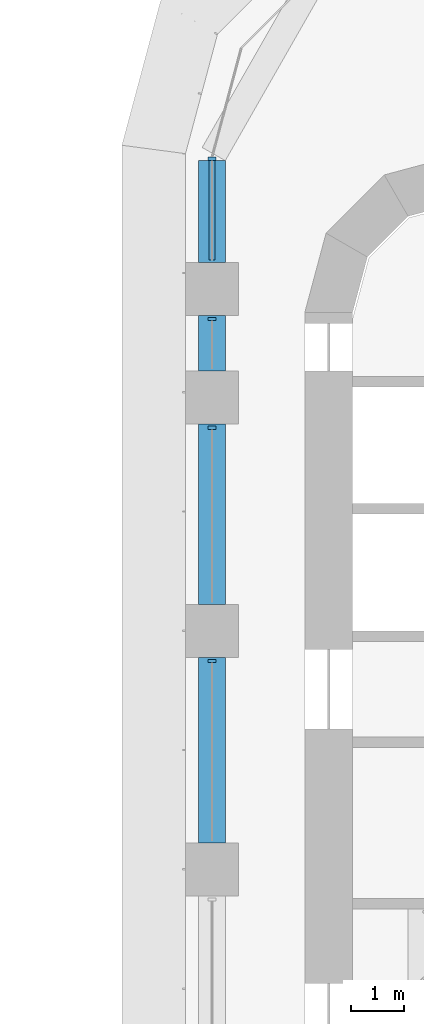
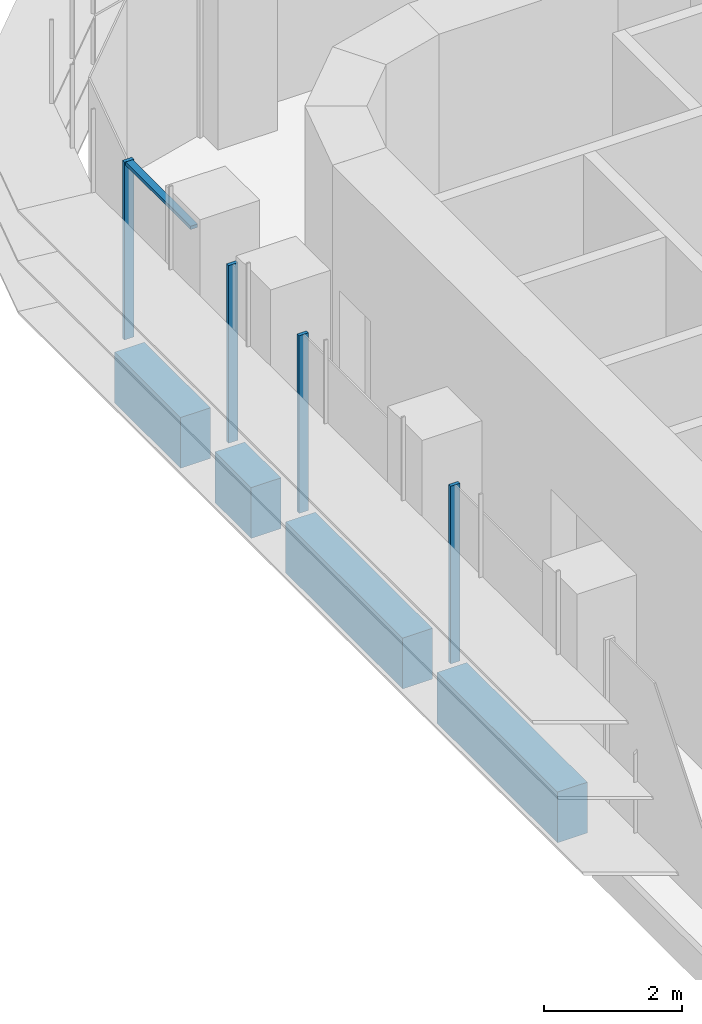
# One storey, part 7 of 23: 5 members, 4 beams, 1 element without a shape of its own.
"""IFC4 building model written with IfcOpenShell, lengths in metres."""

from ifc_helpers import new_model, si_unit, direction, frame, origin, origin_2d, place, context, subcontext, project, spatial, polyline, rectangle, outline, extrude, source, transform, mapped, material, material_profile, profile_set, type_object, element, aggregate, save


model = new_model("IFC4")

# Units and contexts
model_context = context("Model", 3, precision=1e-05, world=origin(), true_north=direction((0.0, 1.0)))
body_context = subcontext(model_context, "Body", "Model", "MODEL_VIEW")
ifc_project = project(units=[si_unit("LENGTHUNIT", "METRE"), si_unit("AREAUNIT", "SQUARE_METRE"), si_unit("VOLUMEUNIT", "CUBIC_METRE"), si_unit("PLANEANGLEUNIT", "RADIAN"), si_unit("MASSUNIT", "GRAM", prefix="KILO")], contexts=[model_context])

# Site, building, storey
site_placement = place(None, origin())
site = spatial("IfcSite", under=ifc_project, at=site_placement, CompositionType="ELEMENT")
building_placement = place(site_placement, origin())
building = spatial("IfcBuilding", under=site, at=building_placement, Name="Zarbagh Exchange Tower", CompositionType="ELEMENT")
storey_placement = place(building_placement, frame((0.0, 0.0, 31.199951171875)))
storey = spatial("IfcBuildingStorey", under=building, at=storey_placement, Name="L06", CompositionType="ELEMENT", Elevation=31.199951171875)

# Beams
ifc_material_1 = material(Name="Concrete C60/75", Category="concrete")
ifc_material_profile = material_profile(ifc_material_1, rectangle(XDim=0.5, YDim=0.89990234375, at=origin_2d()), Name="RC spandrel beam 500 x 900 C60/75")
ifc_profile_set = profile_set([ifc_material_profile], Name="Concrete C60/75")
beam_type = type_object("IfcBeamType", Name="RC spandrel beam 500 x 900 C60/75", PredefinedType="SPANDREL", material=ifc_profile_set)
beam_1_placement = place(storey_placement, frame((-6.25, 16.25, -0.599853515625), z_axis=(0.0, 1.0, 0.0), x_axis=(-1.0, 0.0, 0.0)))
element("IfcBeam", 1, at=beam_1_placement, inside=storey, type_object=beam_type, Name="RC spandrel beam", PredefinedType="SPANDREL", context=body_context, shape_type="SweptSolid", body=[
    extrude(rectangle(XDim=0.5, YDim=0.89990234375, at=origin_2d()), origin(), (0.0, 0.0, 1.0), 3.5),
])
beam_2_placement = place(storey_placement, frame((-6.25, 20.75, -0.599853515625), z_axis=(0.0, 1.0, 0.0), x_axis=(-1.0, 0.0, 0.0)))
element("IfcBeam", 2, at=beam_2_placement, inside=storey, type_object=beam_type, Name="RC spandrel beam", PredefinedType="SPANDREL", context=body_context, shape_type="SweptSolid", body=[
    extrude(rectangle(XDim=0.5, YDim=0.89990234375, at=origin_2d()), origin(), (0.0, 0.0, 1.0), 3.39990234375),
])
beam_3_placement = place(storey_placement, frame((-6.25, 25.14990234375, -0.599853515625), z_axis=(0.0, 1.0, 0.0), x_axis=(-1.0, 0.0, 0.0)))
element("IfcBeam", 3, at=beam_3_placement, inside=storey, type_object=beam_type, Name="RC spandrel beam", PredefinedType="SPANDREL", context=body_context, shape_type="SweptSolid", body=[
    extrude(rectangle(XDim=0.5, YDim=0.89990234375, at=origin_2d()), origin(), (0.0, 0.0, 1.0), 1.050048828125),
])
beam_4_placement = place(storey_placement, frame((-6.25, 27.199951171875, -0.599853515625), z_axis=(0.0, 1.0, 0.0), x_axis=(-1.0, 0.0, 0.0)))
element("IfcBeam", 4, at=beam_4_placement, inside=storey, type_object=beam_type, Name="RC spandrel beam", PredefinedType="SPANDREL", context=body_context, shape_type="SweptSolid", body=[
    extrude(rectangle(XDim=0.5, YDim=0.89990234375, at=origin_2d()), origin(), (0.0, 0.0, 1.0), 1.91796875),
])

# Curtain wall, members
ifc_material_2 = material(Name="Anodised aluminium frame and glazing", Category="aluminium")
curtain_wall_type = type_object("IfcCurtainWallType", Name="CWA Ribbon glazing, lower zones", PredefinedType="NOTDEFINED", material=ifc_material_2)
curtain_wall_placement = place(storey_placement, origin())
curtain_wall = element("IfcCurtainWall", 5, at=curtain_wall_placement, inside=storey, type_object=curtain_wall_type, Name="CWA28 curtain wall", PredefinedType="NOTDEFINED")
ifc_material_3 = material(Name="Anodised aluminium frame", Category="aluminium")
member_type_1 = type_object("IfcMemberType", Name="MUA Mullion, anodised aluminium frame", PredefinedType="MULLION", material=ifc_material_3)
shared_shape_1 = source(origin(), body_context, "Body", "SweptSolid", [
    extrude(outline(polyline([(0.0, -0.080078125), (0.06005859375, -0.080078125), (0.06005859375, 0.080078125), (0.0, 0.080078125), (0.0, -0.080078125)])), origin(), (0.0, 0.0, 1.0), 3.14990234375),
])
placement = place(storey_placement, origin())
member_1 = element("IfcMember", 6, at=placement, type_object=member_type_1, Name="CWA28 mullion 1.1", PredefinedType="MULLION", context=body_context, shape_type="MappedRepresentation", body=[
    mapped(shared_shape_1, transform((-6.25, 29.18408203125, 0.0), x_axis=(0.0, -1.0, 0.0), y_axis=(1.0, 0.0, 0.0), z_axis=(0.0, 0.0, 1.0))),
])
member_2 = element("IfcMember", 7, at=placement, type_object=member_type_1, Name="CWA28 mullion 2.1", PredefinedType="MULLION", context=body_context, shape_type="MappedRepresentation", body=[
    mapped(shared_shape_1, transform((-6.25, 26.159912109375, 0.0), x_axis=(0.0, -1.0, 0.0), y_axis=(1.0, 0.0, 0.0), z_axis=(0.0, 0.0, 1.0))),
])
member_3 = element("IfcMember", 8, at=placement, type_object=member_type_1, Name="CWA28 mullion 3.1", PredefinedType="MULLION", context=body_context, shape_type="MappedRepresentation", body=[
    mapped(shared_shape_1, transform((-6.25, 24.10986328125, 0.0), x_axis=(0.0, -1.0, 0.0), y_axis=(1.0, 0.0, 0.0), z_axis=(0.0, 0.0, 1.0))),
])
member_4 = element("IfcMember", 9, at=placement, type_object=member_type_1, Name="CWA28 mullion 4.1", PredefinedType="MULLION", context=body_context, shape_type="MappedRepresentation", body=[
    mapped(shared_shape_1, transform((-6.25, 19.7099609375, 0.0), x_axis=(0.0, -1.0, 0.0), y_axis=(1.0, 0.0, 0.0), z_axis=(0.0, 0.0, 1.0))),
])
member_type_2 = type_object("IfcMemberType", Name="TRA Transom, anodised aluminium frame", PredefinedType="USERDEFINED", material=ifc_material_3)
shared_shape_2 = source(origin(), body_context, "Body", "SweptSolid", [
    extrude(outline(polyline([(-0.06005859375, -0.06005859375), (0.0, -0.06005859375), (0.0, 0.06005859375), (-0.06005859375, 0.06005859375), (-0.06005859375, -0.06005859375)])), origin(), (0.0, 0.0, 1.0), 1.88427734375),
])
member_5 = element("IfcMember", 10, at=placement, type_object=member_type_2, Name="CWA28 transom 1.1", ObjectType="TRANSOM", PredefinedType="USERDEFINED", context=body_context, shape_type="MappedRepresentation", body=[
    mapped(shared_shape_2, transform((-6.25, 29.124267578125, 3.150146484375), x_axis=(0.0, 0.0, 1.0), y_axis=(-1.0, 0.0, 0.0), z_axis=(0.0, -1.0, 0.0))),
])
aggregate(curtain_wall, [member_1, member_5, member_2, member_3, member_4])

save(model, "model.ifc")
